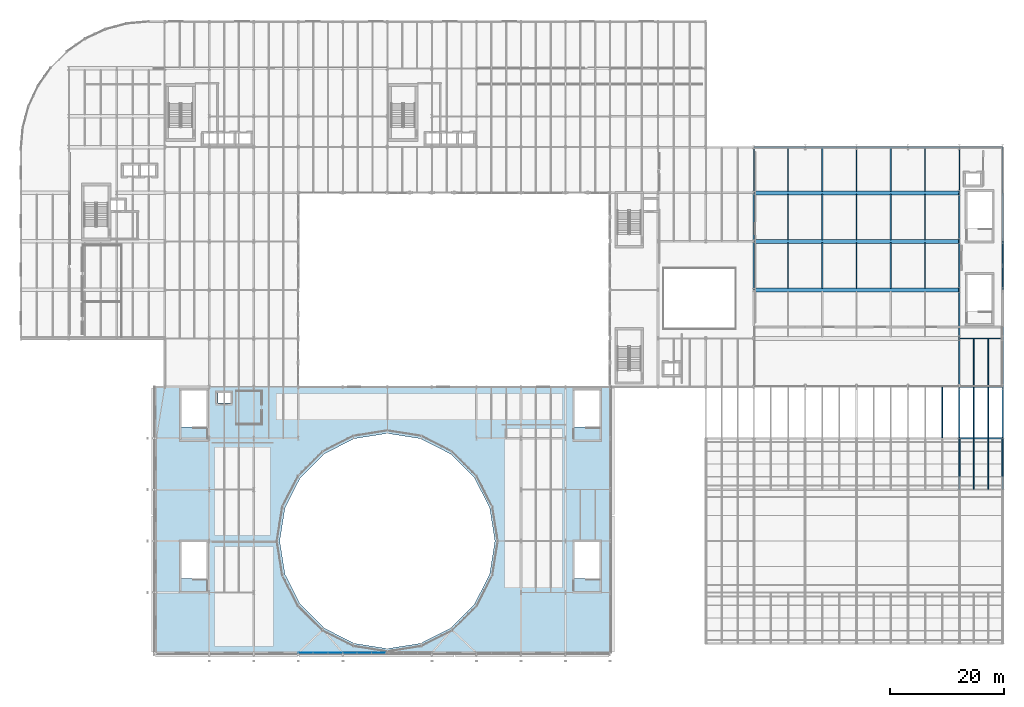
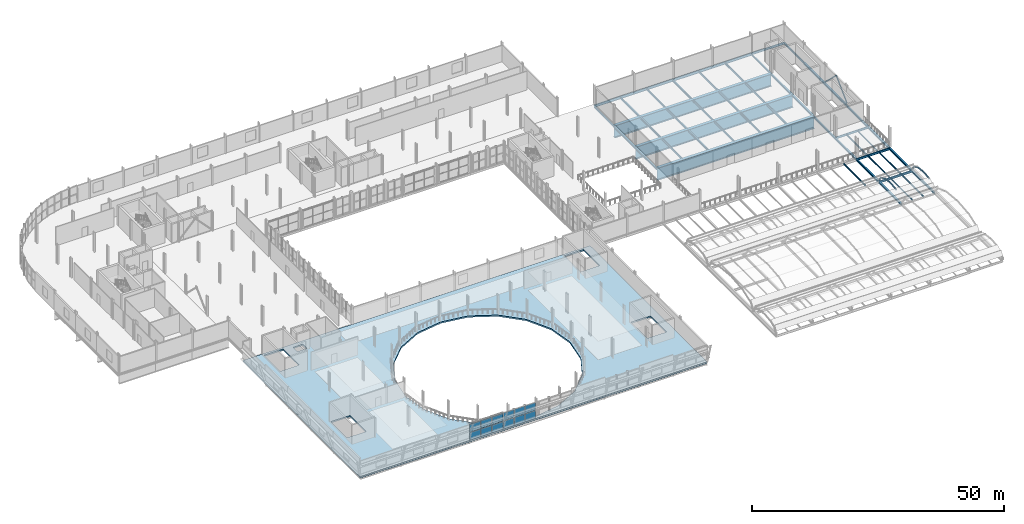
# One storey, part 35 of 63: 50 beams, 12 plates, 10 members, 1 slab, 2 elements without a shape of their own.
"""IFC4 building model written with IfcOpenShell, lengths in metres."""

import ifcopenshell
import ifcopenshell.guid

model = None  # the IFC model being written
_history = None  # IfcOwnerHistory: only IFC2X3 demands one
_inside = {}  # id of a spatial element -> (the spatial element, [elements in it])
_under = {}  # id of a project, library or spatial element -> (it, [spatial elements below it])
_declared = {}  # id of a project -> (the project, [libraries it declares])
_typed = {}  # id of a type object -> (the type object, [elements of that type])
_made_of = {}  # id of a material, layer set ... -> (it, [elements and type objects made of it])


def new_model(schema):
    """Start an empty IFC model of exactly this schema.

    Asked for "IFC4X3", IfcOpenShell would pick the latest addendum, in which some entities
    have other attributes; the version numbers below select the first issue.
    IFC2X3 requires an IfcOwnerHistory on every rooted entity: one is made here for all.
    """
    global model, _history
    if schema == "IFC4X3":
        model = ifcopenshell.file(schema_version=(4, 3, 0, 0))
    else:
        model = ifcopenshell.file(schema=schema)
    _inside.clear()
    _under.clear()
    _declared.clear()
    _typed.clear()
    _made_of.clear()
    _history = None
    if model.schema == "IFC2X3":
        org = make("IfcOrganization", Name="unknown")
        user = make(
            "IfcPersonAndOrganization",
            ThePerson=make("IfcPerson", FamilyName="unknown"),
            TheOrganization=org,
        )
        app = make(
            "IfcApplication",
            ApplicationDeveloper=org,
            Version="unknown",
            ApplicationFullName="unknown",
            ApplicationIdentifier="unknown",
        )
        _history = make(
            "IfcOwnerHistory",
            OwningUser=user,
            OwningApplication=app,
            ChangeAction="ADDED",
            CreationDate=0,
        )
    return model


def make(cls, **values):
    """One entity of the class cls with the attributes given. An attribute that is None is left unset."""
    return model.create_entity(
        cls, **{name: value for name, value in values.items() if value is not None}
    )


def rooted(cls, **values):
    """An entity with a GlobalId (a new one), such as an element, a storey or a relation."""
    return make(cls, GlobalId=ifcopenshell.guid.new(), OwnerHistory=_history, **values)


def si_unit(unit_type, name, prefix=None):
    """IfcSIUnit, for example si_unit("LENGTHUNIT", "METRE", prefix="MILLI")."""
    return make("IfcSIUnit", UnitType=unit_type, Prefix=prefix, Name=name)


def assignment(units):
    """IfcUnitAssignment: the units of a project."""
    return None if units is None else make("IfcUnitAssignment", Units=units)


def point(xyz):
    """IfcCartesianPoint."""
    return None if xyz is None else make("IfcCartesianPoint", Coordinates=xyz)


def direction(xyz):
    """IfcDirection."""
    return None if xyz is None else make("IfcDirection", DirectionRatios=xyz)


def frame(location, z_axis=None, x_axis=None):
    """IfcAxis2Placement3D, a coordinate frame: its origin and axes. An axis left out is left unset."""
    return make(
        "IfcAxis2Placement3D",
        Location=point(location),
        Axis=direction(z_axis),
        RefDirection=direction(x_axis),
    )


def frame_2d(location, x_axis=None):
    """IfcAxis2Placement2D, a coordinate frame in the plane: its origin and x axis."""
    return make(
        "IfcAxis2Placement2D", Location=point(location), RefDirection=direction(x_axis)
    )


def origin():
    """The frame at (0, 0, 0) with its axes left unset."""
    return frame((0.0, 0.0, 0.0))


def origin_2d():
    """The frame at (0, 0) in the plane with its x axis left unset."""
    return frame_2d((0.0, 0.0))


def place(relative_to, where):
    """IfcLocalPlacement: puts the frame where relative to a parent placement (None: the world)."""
    return make(
        "IfcLocalPlacement", PlacementRelTo=relative_to, RelativePlacement=where
    )


def context(
    kind, dimensions, precision=None, world=None, true_north=None, identifier=None
):
    """IfcGeometricRepresentationContext, for example the 3D "Model" context."""
    return make(
        "IfcGeometricRepresentationContext",
        ContextIdentifier=identifier,
        ContextType=kind,
        CoordinateSpaceDimension=dimensions,
        Precision=precision,
        WorldCoordinateSystem=world,
        TrueNorth=true_north,
    )


def subcontext(parent, identifier, kind, view, scale=None):
    """IfcGeometricRepresentationSubContext, for example "Body" below "Model"."""
    return make(
        "IfcGeometricRepresentationSubContext",
        ContextIdentifier=identifier,
        ContextType=kind,
        ParentContext=parent,
        TargetScale=scale,
        TargetView=view,
    )


def project(units=None, contexts=None):
    """IfcProject with its units and contexts."""
    return rooted(
        "IfcProject",
        Name="project",
        RepresentationContexts=contexts,
        UnitsInContext=assignment(units),
    )


def spatial(cls, under=None, at=None, **own):
    """A site, building, storey or space (cls), placed at a placement, below another one or the project."""
    s = rooted(cls, ObjectPlacement=at, **own)
    if under is not None:
        _under.setdefault(under.id(), (under, []))[1].append(s)
    return s


def polyline(points):
    """IfcPolyline through the points."""
    return make("IfcPolyline", Points=[point(p) for p in points])


def profile(cls, at=None, kind="AREA", **sizes):
    """A parametric profile (cls). Its sizes go by their IFC names, for example OverallWidth=200.0."""
    return make(cls, ProfileType=kind, Position=at, **sizes)


def rectangle(**sizes):
    """IfcRectangleProfileDef."""
    return profile("IfcRectangleProfileDef", **sizes)


def hollow_circle(**sizes):
    """IfcCircleHollowProfileDef."""
    return profile("IfcCircleHollowProfileDef", **sizes)


def i_section(**sizes):
    """IfcIShapeProfileDef."""
    return profile("IfcIShapeProfileDef", **sizes)


def outline(outer, holes=None, kind="AREA"):
    """IfcArbitraryClosedProfileDef: a profile drawn as a closed curve; with holes, ...WithVoids."""
    if holes is None:
        return make("IfcArbitraryClosedProfileDef", ProfileType=kind, OuterCurve=outer)
    return make(
        "IfcArbitraryProfileDefWithVoids",
        ProfileType=kind,
        OuterCurve=outer,
        InnerCurves=holes,
    )


def extrude(swept, where, along, depth):
    """IfcExtrudedAreaSolid: the profile swept, set in the frame where, extruded along a direction by depth."""
    return make(
        "IfcExtrudedAreaSolid",
        SweptArea=swept,
        Position=where,
        ExtrudedDirection=direction(along),
        Depth=depth,
    )


def shape(context_of_items, identifier, shape_type, items):
    """IfcShapeRepresentation: the items that make up one representation, for example the "Body"."""
    return make(
        "IfcShapeRepresentation",
        ContextOfItems=context_of_items,
        RepresentationIdentifier=identifier,
        RepresentationType=shape_type,
        Items=items,
    )


def material(Name=None, Category=None):
    """IfcMaterial."""
    return make("IfcMaterial", Name=Name, Category=Category)


def layer(
    of_material, thickness, ventilated=None, Name=None, Category=None, Priority=None
):
    """IfcMaterialLayer: one layer of a wall or slab, of a material (None: an air gap)."""
    return make(
        "IfcMaterialLayer",
        Material=of_material,
        LayerThickness=thickness,
        IsVentilated=ventilated,
        Name=Name,
        Category=Category,
        Priority=Priority,
    )


def layer_set(layers, Name=None):
    """IfcMaterialLayerSet."""
    return make("IfcMaterialLayerSet", MaterialLayers=layers, LayerSetName=Name)


def material_profile(
    of_material, cross_section, Name=None, Category=None, Priority=None
):
    """IfcMaterialProfile: a cross section and its material."""
    return make(
        "IfcMaterialProfile",
        Name=Name,
        Material=of_material,
        Profile=cross_section,
        Priority=Priority,
        Category=Category,
    )


def profile_set(profiles, Name=None, composite=None):
    """IfcMaterialProfileSet."""
    return make(
        "IfcMaterialProfileSet",
        Name=Name,
        MaterialProfiles=profiles,
        CompositeProfile=composite,
    )


def made_of(thing, what):
    """Note that an element or type object is made of a material, layer set ...; save() writes the relation."""
    if what is not None:
        _made_of.setdefault(what.id(), (what, []))[1].append(thing)
    return thing


def type_object(cls, material=None, **own):
    """A type object (cls), such as IfcWallType, which elements share."""
    return made_of(rooted(cls, **own), material)


def element(
    cls,
    number,
    at=None,
    inside=None,
    cuts=None,
    type_object=None,
    material=None,
    context=None,
    identifier="Body",
    shape_type=None,
    held_by="IfcProductDefinitionShape",
    body=None,
    shapes=None,
    **own,
):
    """One element of the class cls, such as IfcWall. Its Tag is "e" and its number.

    at: its placement. inside: the storey or other place that contains it. cuts: it is an
    opening in that element (IfcRelVoidsElement). A single representation is given by context,
    identifier, shape_type and body (its items); several are given by shapes. held_by: the class
    of the entity that holds the representations. save() writes the other relations.
    """
    e = rooted(cls, Tag="e%d" % number, ObjectPlacement=at, **own)
    if body is not None:
        shapes = [shape(context, identifier, shape_type, body)]
    if shapes is not None:
        e.Representation = make(held_by, Representations=shapes)
    if inside is not None:
        _inside.setdefault(inside.id(), (inside, []))[1].append(e)
    if cuts is not None:
        rooted(
            "IfcRelVoidsElement", RelatingBuildingElement=cuts, RelatedOpeningElement=e
        )
    if type_object is not None:
        _typed.setdefault(type_object.id(), (type_object, []))[1].append(e)
    return made_of(e, material)


def aggregate(whole, parts):
    """IfcRelAggregates: a whole, such as a stair, and the parts it consists of."""
    return rooted("IfcRelAggregates", RelatingObject=whole, RelatedObjects=parts)


def save(model, path):
    """Write the relations noted so far, then the file.

    IfcRelAggregates (storeys below a building ...), IfcRelContainedInSpatialStructure (elements
    in a storey), IfcRelDefinesByType, IfcRelAssociatesMaterial and IfcRelDeclares: one each for
    every whole, place, type object, material and project.
    """
    for whole, parts in _under.values():
        aggregate(whole, parts)
    for where, things in _inside.values():
        rooted(
            "IfcRelContainedInSpatialStructure",
            RelatedElements=things,
            RelatingStructure=where,
        )
    for kind, things in _typed.values():
        rooted("IfcRelDefinesByType", RelatedObjects=things, RelatingType=kind)
    for what, things in _made_of.values():
        rooted("IfcRelAssociatesMaterial", RelatedObjects=things, RelatingMaterial=what)
    for by, libraries in _declared.values():
        rooted("IfcRelDeclares", RelatingContext=by, RelatedDefinitions=libraries)
    model.write(path)


model = new_model("IFC4")

# Units and contexts
model_context = context("Model", 3, precision=1e-05, world=origin(), true_north=direction((0.0, 1.0)))
body_context = subcontext(model_context, "Body", "Model", "MODEL_VIEW")
ifc_project = project(units=[si_unit("LENGTHUNIT", "METRE"), si_unit("AREAUNIT", "SQUARE_METRE"), si_unit("VOLUMEUNIT", "CUBIC_METRE"), si_unit("PLANEANGLEUNIT", "RADIAN"), si_unit("MASSUNIT", "GRAM", prefix="KILO")], contexts=[model_context])

# Site, building, storey
site_placement = place(None, origin())
site = spatial("IfcSite", under=ifc_project, at=site_placement, CompositionType="ELEMENT")
building_placement = place(site_placement, origin())
building = spatial("IfcBuilding", under=site, at=building_placement, Name="Sefraquen Railside Congress Hotel", CompositionType="ELEMENT")
storey_placement = place(building_placement, frame((0.0, 0.0, 11.39990234375)))
storey = spatial("IfcBuildingStorey", under=building, at=storey_placement, Name="L02", CompositionType="ELEMENT", Elevation=11.39990234375)

# Beams
ifc_material_1 = material(Name="Steel S355JR", Category="steel")
ifc_material_profile_1 = material_profile(ifc_material_1, i_section(OverallWidth=0.18994140625, OverallDepth=0.449951171875, WebThickness=0.009521484375, FlangeThickness=0.0146484375, FilletRadius=0.02099609375, at=origin_2d()), Name="IPE 450")
ifc_profile_set_1 = profile_set([ifc_material_profile_1], Name="Steel S355JR")
beam_type_1 = type_object("IfcBeamType", Name="TB-BM-450", PredefinedType="BEAM", material=ifc_profile_set_1)
for number, where, z_axis, x_axis, name in (
    (1, (128.39990234375, 88.0, -0.574951171875), (0.0, 1.0, 0.0), (-1.0, 0.0, 0.0), "Floor beam BM-L02-0963"),
    (2, (164.39990234375, 88.0, -0.44482421875), (0.0, 1.0, 0.0), (-1.0, 0.0, 0.0), "Floor beam BM-L02-0985"),
    (3, (172.0, 88.0, -0.44482421875), (0.0, 1.0, 0.0), (-1.0, 0.0, 0.0), "Floor beam BM-L02-0995"),
):
    element("IfcBeam", number, at=place(storey_placement, frame(where, z_axis=z_axis, x_axis=x_axis)), inside=storey, type_object=beam_type_1, Name=name, PredefinedType="BEAM", context=body_context, shape_type="SweptSolid", body=[
        extrude(i_section(OverallWidth=0.18994140625, OverallDepth=0.449951171875, WebThickness=0.009521484375, FlangeThickness=0.0146484375, FilletRadius=0.02099609375, at=origin_2d()), origin(), (0.0, 0.0, 1.0), 8.0),
    ])
ifc_material_profile_2 = material_profile(ifc_material_1, i_section(OverallWidth=0.199951171875, OverallDepth=0.5, WebThickness=0.01025390625, FlangeThickness=0.01611328125, FilletRadius=0.02099609375, at=origin_2d()), Name="IPE 500")
ifc_profile_set_2 = profile_set([ifc_material_profile_2], Name="Steel S355JR")
beam_type_2 = type_object("IfcBeamType", Name="TB-BM-500", PredefinedType="BEAM", material=ifc_profile_set_2)
for number, where, z_axis, x_axis, name in (
    (4, (164.39990234375, 45.0, -0.599853515625), (1.0, 0.0, 0.0), (0.0, 1.0, 0.0), "Thermal Spa vault tension ring girder BM-L02-0714"),
    (5, (164.39990234375, 54.0, -0.599853515625), (1.0, 0.0, 0.0), (0.0, 1.0, 0.0), "Primary girder BM-L02-0731"),
    (6, (164.39990234375, 62.5, -0.56982421875), (1.0, 0.0, 0.0), (0.0, 1.0, 0.0), "Primary girder BM-L02-0741"),
    (7, (164.39990234375, 96.0, -0.469970703125), (1.0, 0.0, 0.0), (0.0, 1.0, 0.0), "Primary girder BM-L02-0794"),
):
    element("IfcBeam", number, at=place(storey_placement, frame(where, z_axis=z_axis, x_axis=x_axis)), inside=storey, type_object=beam_type_2, Name=name, PredefinedType="BEAM", context=body_context, shape_type="SweptSolid", body=[
        extrude(i_section(OverallWidth=0.199951171875, OverallDepth=0.5, WebThickness=0.01025390625, FlangeThickness=0.01611328125, FilletRadius=0.02099609375, at=origin_2d()), origin(), (0.0, 0.0, 1.0), 7.60009765625),
    ])
ifc_material_profile_3 = material_profile(ifc_material_1, i_section(OverallWidth=0.300048828125, OverallDepth=0.489990234375, WebThickness=0.011962890625, FlangeThickness=0.02294921875, FilletRadius=0.027099609375, at=origin_2d()), Name="HEA 500")
ifc_profile_set_3 = profile_set([ifc_material_profile_3], Name="Steel S355JR")
beam_type_3 = type_object("IfcBeamType", Name="TB-GIR-500", PredefinedType="T_BEAM", material=ifc_profile_set_3)
for number, where, z_axis, x_axis, name in (
    (8, (128.39990234375, 71.0, -0.594970703125), (0.0, 1.0, 0.0), (-1.0, 0.0, 0.0), "Floor beam BM-L02-0961"),
    (9, (128.39990234375, 79.5, -0.594970703125), (0.0, 1.0, 0.0), (-1.0, 0.0, 0.0), "Floor beam BM-L02-0962"),
):
    element("IfcBeam", number, at=place(storey_placement, frame(where, z_axis=z_axis, x_axis=x_axis)), inside=storey, type_object=beam_type_3, Name=name, PredefinedType="T_BEAM", context=body_context, shape_type="SweptSolid", body=[
        extrude(i_section(OverallWidth=0.300048828125, OverallDepth=0.489990234375, WebThickness=0.011962890625, FlangeThickness=0.02294921875, FilletRadius=0.027099609375, at=origin_2d()), origin(), (0.0, 0.0, 1.0), 8.5),
    ])
for number, where, z_axis, x_axis, name in (
    (10, (164.39990234375, 36.0, -0.594970703125), (0.0, 1.0, 0.0), (-1.0, 0.0, 0.0), "Floor beam BM-L02-0979"),
    (11, (164.39990234375, 45.0, -0.594970703125), (0.0, 1.0, 0.0), (-1.0, 0.0, 0.0), "Floor beam BM-L02-0980"),
):
    element("IfcBeam", number, at=place(storey_placement, frame(where, z_axis=z_axis, x_axis=x_axis)), inside=storey, type_object=beam_type_3, Name=name, PredefinedType="T_BEAM", context=body_context, shape_type="SweptSolid", body=[
        extrude(i_section(OverallWidth=0.300048828125, OverallDepth=0.489990234375, WebThickness=0.011962890625, FlangeThickness=0.02294921875, FilletRadius=0.027099609375, at=origin_2d()), origin(), (0.0, 0.0, 1.0), 9.0),
    ])
for number, where, z_axis, x_axis, name in (
    (12, (164.39990234375, 54.0, -0.56494140625), (0.0, 1.0, 0.0), (-1.0, 0.0, 0.0), "Floor beam BM-L02-0981"),
    (13, (164.39990234375, 62.5, -0.56494140625), (0.0, 1.0, 0.0), (-1.0, 0.0, 0.0), "Floor beam BM-L02-0982"),
    (14, (164.39990234375, 71.0, -0.46484375), (0.0, 1.0, 0.0), (-1.0, 0.0, 0.0), "Floor beam BM-L02-0983"),
    (15, (164.39990234375, 79.5, -0.46484375), (0.0, 1.0, 0.0), (-1.0, 0.0, 0.0), "Floor beam BM-L02-0984"),
):
    element("IfcBeam", number, at=place(storey_placement, frame(where, z_axis=z_axis, x_axis=x_axis)), inside=storey, type_object=beam_type_3, Name=name, PredefinedType="T_BEAM", context=body_context, shape_type="SweptSolid", body=[
        extrude(i_section(OverallWidth=0.300048828125, OverallDepth=0.489990234375, WebThickness=0.011962890625, FlangeThickness=0.02294921875, FilletRadius=0.027099609375, at=origin_2d()), origin(), (0.0, 0.0, 1.0), 8.5),
    ])
for number, where, z_axis, x_axis, name in (
    (16, (172.0, 36.0, -0.594970703125), (0.0, 1.0, 0.0), (-1.0, 0.0, 0.0), "Floor beam BM-L02-0989"),
    (17, (172.0, 45.0, -0.594970703125), (0.0, 1.0, 0.0), (-1.0, 0.0, 0.0), "Floor beam BM-L02-0990"),
):
    element("IfcBeam", number, at=place(storey_placement, frame(where, z_axis=z_axis, x_axis=x_axis)), inside=storey, type_object=beam_type_3, Name=name, PredefinedType="T_BEAM", context=body_context, shape_type="SweptSolid", body=[
        extrude(i_section(OverallWidth=0.300048828125, OverallDepth=0.489990234375, WebThickness=0.011962890625, FlangeThickness=0.02294921875, FilletRadius=0.027099609375, at=origin_2d()), origin(), (0.0, 0.0, 1.0), 9.0),
    ])
for number, where, z_axis, x_axis, name in (
    (18, (172.0, 54.0, -0.56494140625), (0.0, 1.0, 0.0), (-1.0, 0.0, 0.0), "Floor beam BM-L02-0991"),
    (19, (172.0, 62.5, -0.56494140625), (0.0, 1.0, 0.0), (-1.0, 0.0, 0.0), "Floor beam BM-L02-0992"),
    (20, (172.0, 71.0, -0.46484375), (0.0, 1.0, 0.0), (-1.0, 0.0, 0.0), "Floor beam BM-L02-0993"),
    (21, (172.0, 79.5, -0.46484375), (0.0, 1.0, 0.0), (-1.0, 0.0, 0.0), "Floor beam BM-L02-0994"),
):
    element("IfcBeam", number, at=place(storey_placement, frame(where, z_axis=z_axis, x_axis=x_axis)), inside=storey, type_object=beam_type_3, Name=name, PredefinedType="T_BEAM", context=body_context, shape_type="SweptSolid", body=[
        extrude(i_section(OverallWidth=0.300048828125, OverallDepth=0.489990234375, WebThickness=0.011962890625, FlangeThickness=0.02294921875, FilletRadius=0.027099609375, at=origin_2d()), origin(), (0.0, 0.0, 1.0), 8.5),
    ])
ifc_material_profile_4 = material_profile(ifc_material_1, i_section(OverallWidth=0.219970703125, OverallDepth=0.60009765625, WebThickness=0.011962890625, FlangeThickness=0.01904296875, FilletRadius=0.02392578125, at=origin_2d()), Name="IPE 600")
ifc_profile_set_4 = profile_set([ifc_material_profile_4], Name="Steel S355JR")
beam_type_4 = type_object("IfcBeamType", Name="TB-GIR-600", PredefinedType="T_BEAM", material=ifc_profile_set_4)
for number, where, z_axis, x_axis, name in (
    (22, (128.39990234375, 96.0, -0.52001953125), (1.0, 0.0, 0.0), (0.0, 1.0, 0.0), "Primary girder BM-L02-0790"),
    (23, (137.39990234375, 96.0, -0.52001953125), (1.0, 0.0, 0.0), (0.0, 1.0, 0.0), "Primary girder BM-L02-0791"),
    (24, (146.39990234375, 96.0, -0.52001953125), (1.0, 0.0, 0.0), (0.0, 1.0, 0.0), "Primary girder BM-L02-0792"),
    (25, (155.39990234375, 96.0, -0.52001953125), (1.0, 0.0, 0.0), (0.0, 1.0, 0.0), "Primary girder BM-L02-0793"),
):
    element("IfcBeam", number, at=place(storey_placement, frame(where, z_axis=z_axis, x_axis=x_axis)), inside=storey, type_object=beam_type_4, Name=name, PredefinedType="T_BEAM", context=body_context, shape_type="SweptSolid", body=[
        extrude(i_section(OverallWidth=0.219970703125, OverallDepth=0.60009765625, WebThickness=0.011962890625, FlangeThickness=0.01904296875, FilletRadius=0.02392578125, at=origin_2d()), origin(), (0.0, 0.0, 1.0), 9.0),
    ])
ifc_material_profile_5 = material_profile(ifc_material_1, i_section(OverallWidth=0.159912109375, OverallDepth=0.330078125, WebThickness=0.007568359375, FlangeThickness=0.011474609375, FilletRadius=0.01806640625, at=origin_2d()), Name="IPE 330")
ifc_profile_set_5 = profile_set([ifc_material_profile_5], Name="Steel S355JR")
beam_type_5 = type_object("IfcBeamType", Name="TB-JST-330", PredefinedType="JOIST", material=ifc_profile_set_5)
beam_placement = place(storey_placement, frame((161.39990234375, 45.090087890625, -0.514892578125), z_axis=(0.0, 1.0, 0.0), x_axis=(-1.0, 0.0, 0.0)))
element("IfcBeam", 26, at=beam_placement, inside=storey, type_object=beam_type_5, Name="Composite floor joist BM-L02-J0623", PredefinedType="JOIST", context=body_context, shape_type="SweptSolid", body=[
    extrude(i_section(OverallWidth=0.159912109375, OverallDepth=0.330078125, WebThickness=0.007568359375, FlangeThickness=0.011474609375, FilletRadius=0.01806640625, at=origin_2d()), origin(), (0.0, 0.0, 1.0), 8.81982421875),
])
for number, where, z_axis, x_axis, name in (
    (27, (166.933349609375, 36.080078125, -0.514892578125), (0.0, 1.0, 0.0), (-1.0, 0.0, 0.0), "Composite floor joist BM-L02-J0626"),
    (28, (169.466796875, 36.080078125, -0.514892578125), (0.0, 1.0, 0.0), (-1.0, 0.0, 0.0), "Composite floor joist BM-L02-J0627"),
    (29, (166.933349609375, 45.080078125, -0.514892578125), (0.0, 1.0, 0.0), (-1.0, 0.0, 0.0), "Composite floor joist BM-L02-J0628"),
    (30, (169.466796875, 45.080078125, -0.514892578125), (0.0, 1.0, 0.0), (-1.0, 0.0, 0.0), "Composite floor joist BM-L02-J0629"),
):
    element("IfcBeam", number, at=place(storey_placement, frame(where, z_axis=z_axis, x_axis=x_axis)), inside=storey, type_object=beam_type_5, Name=name, PredefinedType="JOIST", context=body_context, shape_type="SweptSolid", body=[
        extrude(i_section(OverallWidth=0.159912109375, OverallDepth=0.330078125, WebThickness=0.007568359375, FlangeThickness=0.011474609375, FilletRadius=0.01806640625, at=origin_2d()), origin(), (0.0, 0.0, 1.0), 8.83984375),
    ])
for number, where, z_axis, x_axis, name in (
    (31, (166.933349609375, 54.080078125, -0.514892578125), (0.0, 1.0, 0.0), (-1.0, 0.0, 0.0), "Composite floor joist BM-L02-J0630"),
    (32, (169.466796875, 54.080078125, -0.514892578125), (0.0, 1.0, 0.0), (-1.0, 0.0, 0.0), "Composite floor joist BM-L02-J0631"),
):
    element("IfcBeam", number, at=place(storey_placement, frame(where, z_axis=z_axis, x_axis=x_axis)), inside=storey, type_object=beam_type_5, Name=name, PredefinedType="JOIST", context=body_context, shape_type="SweptSolid", body=[
        extrude(i_section(OverallWidth=0.159912109375, OverallDepth=0.330078125, WebThickness=0.007568359375, FlangeThickness=0.011474609375, FilletRadius=0.01806640625, at=origin_2d()), origin(), (0.0, 0.0, 1.0), 8.33984375),
    ])
ifc_material_profile_6 = material_profile(ifc_material_1, i_section(OverallWidth=0.199951171875, OverallDepth=0.5, WebThickness=0.01025390625, FlangeThickness=0.01611328125, FilletRadius=0.02099609375, at=origin_2d()), Name="IPE 500")
ifc_profile_set_6 = profile_set([ifc_material_profile_6], Name="Steel S355JR")
beam_type_6 = type_object("IfcBeamType", Name="TB-JST-500", PredefinedType="JOIST", material=ifc_profile_set_6)
for number, where, z_axis, x_axis, name in (
    (33, (134.39990234375, 71.199951171875, -0.469970703125), (0.0, 1.0, 0.0), (-1.0, 0.0, 0.0), "Ballroom transfer secondary joist BM-L02-BJ0637"),
    (34, (140.39990234375, 71.199951171875, -0.469970703125), (0.0, 1.0, 0.0), (-1.0, 0.0, 0.0), "Ballroom transfer secondary joist BM-L02-BJ0638"),
    (35, (146.39990234375, 71.199951171875, -0.469970703125), (0.0, 1.0, 0.0), (-1.0, 0.0, 0.0), "Ballroom transfer secondary joist BM-L02-BJ0639"),
    (36, (152.39990234375, 71.199951171875, -0.469970703125), (0.0, 1.0, 0.0), (-1.0, 0.0, 0.0), "Ballroom transfer secondary joist BM-L02-BJ0640"),
    (37, (158.39990234375, 71.199951171875, -0.469970703125), (0.0, 1.0, 0.0), (-1.0, 0.0, 0.0), "Ballroom transfer secondary joist BM-L02-BJ0641"),
    (38, (134.39990234375, 79.699951171875, -0.469970703125), (0.0, 1.0, 0.0), (-1.0, 0.0, 0.0), "Ballroom transfer secondary joist BM-L02-BJ0642"),
    (39, (140.39990234375, 79.699951171875, -0.469970703125), (0.0, 1.0, 0.0), (-1.0, 0.0, 0.0), "Ballroom transfer secondary joist BM-L02-BJ0643"),
    (40, (146.39990234375, 79.699951171875, -0.469970703125), (0.0, 1.0, 0.0), (-1.0, 0.0, 0.0), "Ballroom transfer secondary joist BM-L02-BJ0644"),
    (41, (152.39990234375, 79.699951171875, -0.469970703125), (0.0, 1.0, 0.0), (-1.0, 0.0, 0.0), "Ballroom transfer secondary joist BM-L02-BJ0645"),
    (42, (158.39990234375, 79.699951171875, -0.469970703125), (0.0, 1.0, 0.0), (-1.0, 0.0, 0.0), "Ballroom transfer secondary joist BM-L02-BJ0646"),
):
    element("IfcBeam", number, at=place(storey_placement, frame(where, z_axis=z_axis, x_axis=x_axis)), inside=storey, type_object=beam_type_6, Name=name, PredefinedType="JOIST", context=body_context, shape_type="SweptSolid", body=[
        extrude(i_section(OverallWidth=0.199951171875, OverallDepth=0.5, WebThickness=0.01025390625, FlangeThickness=0.01611328125, FilletRadius=0.02099609375, at=origin_2d()), origin(), (0.0, 0.0, 1.0), 8.10009765625),
    ])
for number, where, z_axis, x_axis, name in (
    (43, (134.39990234375, 88.199951171875, -0.469970703125), (0.0, 1.0, 0.0), (-1.0, 0.0, 0.0), "Ballroom transfer secondary joist BM-L02-BJ0647"),
    (44, (140.39990234375, 88.199951171875, -0.469970703125), (0.0, 1.0, 0.0), (-1.0, 0.0, 0.0), "Ballroom transfer secondary joist BM-L02-BJ0648"),
    (45, (146.39990234375, 88.199951171875, -0.469970703125), (0.0, 1.0, 0.0), (-1.0, 0.0, 0.0), "Ballroom transfer secondary joist BM-L02-BJ0649"),
    (46, (152.39990234375, 88.199951171875, -0.469970703125), (0.0, 1.0, 0.0), (-1.0, 0.0, 0.0), "Ballroom transfer secondary joist BM-L02-BJ0650"),
    (47, (158.39990234375, 88.199951171875, -0.469970703125), (0.0, 1.0, 0.0), (-1.0, 0.0, 0.0), "Ballroom transfer secondary joist BM-L02-BJ0651"),
):
    element("IfcBeam", number, at=place(storey_placement, frame(where, z_axis=z_axis, x_axis=x_axis)), inside=storey, type_object=beam_type_6, Name=name, PredefinedType="JOIST", context=body_context, shape_type="SweptSolid", body=[
        extrude(i_section(OverallWidth=0.199951171875, OverallDepth=0.5, WebThickness=0.01025390625, FlangeThickness=0.01611328125, FilletRadius=0.02099609375, at=origin_2d()), origin(), (0.0, 0.0, 1.0), 7.7099609375),
    ])
ifc_material_2 = material(Name="Steel S355J2", Category="steel")
ifc_material_profile_7 = material_profile(ifc_material_2, i_section(OverallWidth=0.699951171875, OverallDepth=3.0, WebThickness=0.031982421875, FlangeThickness=0.054931640625, at=origin_2d()), Name="WG 3000x700")
ifc_profile_set_7 = profile_set([ifc_material_profile_7], Name="Steel S355J2")
beam_type_7 = type_object("IfcBeamType", Name="TB-TG-3000", PredefinedType="USERDEFINED", material=ifc_profile_set_7)
for number, where, z_axis, x_axis, name in (
    (48, (128.39990234375, 71.0, -1.719970703125), (1.0, 0.0, 0.0), (0.0, 1.0, 0.0), "Transfer girder BM-L02-0749"),
    (49, (128.39990234375, 79.5, -1.719970703125), (1.0, 0.0, 0.0), (0.0, 1.0, 0.0), "Transfer girder BM-L02-0758"),
    (50, (128.39990234375, 88.0, -1.719970703125), (1.0, 0.0, 0.0), (0.0, 1.0, 0.0), "Transfer girder BM-L02-0774"),
):
    element("IfcBeam", number, at=place(storey_placement, frame(where, z_axis=z_axis, x_axis=x_axis)), inside=storey, type_object=beam_type_7, Name=name, ObjectType="TRANSFER GIRDER", PredefinedType="USERDEFINED", context=body_context, shape_type="SweptSolid", body=[
        extrude(i_section(OverallWidth=0.699951171875, OverallDepth=3.0, WebThickness=0.031982421875, FlangeThickness=0.054931640625, at=origin_2d()), origin(), (0.0, 0.0, 1.0), 36.0),
    ])

# Members
ifc_material_profile_8 = material_profile(ifc_material_2, hollow_circle(Radius=0.136474609375, WallThickness=0.012451171875, at=origin_2d()), Name="CHS 273x12.5")
ifc_profile_set_8 = profile_set([ifc_material_profile_8], Name="Steel S355J2")
member_type_1 = type_object("IfcMemberType", Name="TM-BR-273", PredefinedType="BRACE", material=ifc_profile_set_8)
for number, where, z_axis, x_axis, name in (
    (51, (172.0, 71.0, 0.150146484375), (0.0, 0.718013444965, 0.696029232755), (-1.0, 0.0, 0.0), "Chevron braced-frame diagonal BF3-L L02"),
    (52, (172.0, 79.5, 0.150146484375), (0.0, -0.718013444965, 0.696029232755), (1.0, 0.0, 0.0), "Chevron braced-frame diagonal BF3-R L02"),
):
    element("IfcMember", number, at=place(storey_placement, frame(where, z_axis=z_axis, x_axis=x_axis)), inside=storey, type_object=member_type_1, Name=name, PredefinedType="BRACE", context=body_context, shape_type="SweptSolid", body=[
        extrude(hollow_circle(Radius=0.136474609375, WallThickness=0.012451171875, at=origin_2d()), origin(), (0.0, 0.0, 1.0), 5.919189453125),
    ])
ifc_material_profile_9 = material_profile(ifc_material_2, hollow_circle(Radius=0.177734375, WallThickness=0.01611328125, at=origin_2d()), Name="CHS 355.6x16")
ifc_profile_set_9 = profile_set([ifc_material_profile_9], Name="Steel S355J2")
member_type_2 = type_object("IfcMemberType", Name="TM-VRAF-355", PredefinedType="RAFTER", material=ifc_profile_set_9)
for number, where, z_axis, x_axis, name in (
    (53, (164.39990234375, 38.25, 1.63671875), (0.0, 0.992264619654, 0.124140745059), (-1.0, 0.0, 0.0), "Thermal Spa vault 3 arched rib 6.3"),
    (54, (164.39990234375, 40.5, 1.918212890625), (0.0, 0.992264619654, -0.124140745059), (-1.0, 0.0, 0.0), "Thermal Spa vault 3 arched rib 6.4"),
):
    element("IfcMember", number, at=place(storey_placement, frame(where, z_axis=z_axis, x_axis=x_axis)), inside=storey, type_object=member_type_2, Name=name, PredefinedType="RAFTER", context=body_context, shape_type="SweptSolid", body=[
        extrude(hollow_circle(Radius=0.177734375, WallThickness=0.01611328125, at=origin_2d()), origin(), (0.0, 0.0, 1.0), 2.267578125),
    ])
member_1_placement = place(storey_placement, frame((164.39990234375, 42.75, 1.63671875), z_axis=(0.0, 0.906214019908, -0.422819287783), x_axis=(-1.0, 0.0, 0.0)))
element("IfcMember", 55, at=member_1_placement, inside=storey, type_object=member_type_2, Name="Thermal Spa vault 3 arched rib 6.5", PredefinedType="RAFTER", context=body_context, shape_type="SweptSolid", body=[
    extrude(hollow_circle(Radius=0.177734375, WallThickness=0.01611328125, at=origin_2d()), origin(), (0.0, 0.0, 1.0), 1.817626953125),
])
member_2_placement = place(storey_placement, frame((164.39990234375, 44.397216796875, 0.8681640625), z_axis=(0.0, 0.4949942083, -0.868896273297), x_axis=(-1.0, 0.0, 0.0)))
element("IfcMember", 56, at=member_2_placement, inside=storey, type_object=member_type_2, Name="Thermal Spa vault 3 arched rib 6.6", PredefinedType="RAFTER", context=body_context, shape_type="SweptSolid", body=[
    extrude(hollow_circle(Radius=0.177734375, WallThickness=0.01611328125, at=origin_2d()), origin(), (0.0, 0.0, 1.0), 1.2177734375),
])
for number, where, z_axis, x_axis, name in (
    (57, (172.0, 38.25, 1.63671875), (0.0, 0.992264619654, 0.124140745059), (-1.0, 0.0, 0.0), "Thermal Spa vault 3 arched rib 7.3"),
    (58, (172.0, 40.5, 1.918212890625), (0.0, 0.992264619654, -0.124140745059), (-1.0, 0.0, 0.0), "Thermal Spa vault 3 arched rib 7.4"),
):
    element("IfcMember", number, at=place(storey_placement, frame(where, z_axis=z_axis, x_axis=x_axis)), inside=storey, type_object=member_type_2, Name=name, PredefinedType="RAFTER", context=body_context, shape_type="SweptSolid", body=[
        extrude(hollow_circle(Radius=0.177734375, WallThickness=0.01611328125, at=origin_2d()), origin(), (0.0, 0.0, 1.0), 2.267578125),
    ])
member_3_placement = place(storey_placement, frame((172.0, 42.75, 1.63671875), z_axis=(0.0, 0.906214019908, -0.422819287783), x_axis=(-1.0, 0.0, 0.0)))
element("IfcMember", 59, at=member_3_placement, inside=storey, type_object=member_type_2, Name="Thermal Spa vault 3 arched rib 7.5", PredefinedType="RAFTER", context=body_context, shape_type="SweptSolid", body=[
    extrude(hollow_circle(Radius=0.177734375, WallThickness=0.01611328125, at=origin_2d()), origin(), (0.0, 0.0, 1.0), 1.817626953125),
])
member_4_placement = place(storey_placement, frame((172.0, 44.397216796875, 0.8681640625), z_axis=(0.0, 0.4949942083, -0.868896273297), x_axis=(-1.0, 0.0, 0.0)))
element("IfcMember", 60, at=member_4_placement, inside=storey, type_object=member_type_2, Name="Thermal Spa vault 3 arched rib 7.6", PredefinedType="RAFTER", context=body_context, shape_type="SweptSolid", body=[
    extrude(hollow_circle(Radius=0.177734375, WallThickness=0.01611328125, at=origin_2d()), origin(), (0.0, 0.0, 1.0), 1.2177734375),
])

# Curtain wall, plates
ifc_material_3 = material(Name="Thermally broken anodised aluminium and low-E double glazing", Category="aluminium")
ifc_layer_1 = layer(ifc_material_3, 0.199951171875)
ifc_layer_set_1 = layer_set([ifc_layer_1], Name="Thermally broken anodised aluminium and low-E double glazing")
curtain_wall_type_1 = type_object("IfcCurtainWallType", Name="TCW-UCW-20", PredefinedType="USERDEFINED", material=ifc_layer_set_1)
curtain_wall_1_placement = place(storey_placement, origin())
curtain_wall_1 = element("IfcCurtainWall", 61, at=curtain_wall_1_placement, inside=storey, type_object=curtain_wall_type_1, Name="Congress leaning south curtain wall L02-4", ObjectType="UNITISED CURTAIN WALL", PredefinedType="USERDEFINED")
ifc_material_4 = material(Name="Solar-control low-E double glazing", Category="glass")
ifc_layer_2 = layer(ifc_material_4, 0.02392578125)
ifc_layer_set_2 = layer_set([ifc_layer_2], Name="Solar-control low-E double glazing")
plate_type_1 = type_object("IfcPlateType", Name="TP-CWP-01", PredefinedType="CURTAIN_PANEL", material=ifc_layer_set_2)
plate_1_placement = place(storey_placement, frame((49.9267578125, 7.400390625, 0.0400390625), z_axis=(0.0, 0.0, 1.0), x_axis=(1.0, 0.0, 0.0)))
plate_1 = element("IfcPlate", 62, at=plate_1_placement, type_object=plate_type_1, Name="CW-L02-052 panel 1.1", PredefinedType="CURTAIN_PANEL", context=body_context, shape_type="SweptSolid", body=[
    extrude(rectangle(XDim=2.4833984375, YDim=0.02392578125, at=origin_2d()), origin(), (0.0, 0.0, 1.0), 1.9150390625),
])
plate_2_placement = place(storey_placement, frame((52.5, 7.400390625, 0.0400390625), z_axis=(0.0, 0.0, 1.0), x_axis=(1.0, 0.0, 0.0)))
plate_2 = element("IfcPlate", 63, at=plate_2_placement, type_object=plate_type_1, Name="CW-L02-052 panel 1.2", PredefinedType="CURTAIN_PANEL", context=body_context, shape_type="SweptSolid", body=[
    extrude(rectangle(XDim=2.4833984375, YDim=0.02392578125, at=origin_2d()), origin(), (0.0, 0.0, 1.0), 1.9150390625),
])
plate_3_placement = place(storey_placement, frame((55.0732421875, 7.400390625, 0.0400390625), z_axis=(0.0, 0.0, 1.0), x_axis=(1.0, 0.0, 0.0)))
plate_3 = element("IfcPlate", 64, at=plate_3_placement, type_object=plate_type_1, Name="CW-L02-052 panel 1.3", PredefinedType="CURTAIN_PANEL", context=body_context, shape_type="SweptSolid", body=[
    extrude(rectangle(XDim=2.4833984375, YDim=0.02392578125, at=origin_2d()), origin(), (0.0, 0.0, 1.0), 1.9150390625),
])

ifc_layer_3 = layer(ifc_material_3, 0.199951171875)
ifc_layer_set_3 = layer_set([ifc_layer_3], Name="Thermally broken anodised aluminium and low-E double glazing")
curtain_wall_type_2 = type_object("IfcCurtainWallType", Name="TCW-UCW-21", PredefinedType="USERDEFINED", material=ifc_layer_set_3)
curtain_wall_2_placement = place(storey_placement, origin())
curtain_wall_2 = element("IfcCurtainWall", 65, at=curtain_wall_2_placement, inside=storey, type_object=curtain_wall_type_2, Name="Congress leaning south curtain wall L02-5", ObjectType="UNITISED CURTAIN WALL", PredefinedType="USERDEFINED")
plate_4_placement = place(storey_placement, frame((57.681640625, 7.400390625, 0.0400390625), z_axis=(0.0, 0.0, 1.0), x_axis=(1.0, 0.0, 0.0)))
plate_4 = element("IfcPlate", 66, at=plate_4_placement, type_object=plate_type_1, Name="CW-L02-053 panel 1.1", PredefinedType="CURTAIN_PANEL", context=body_context, shape_type="SweptSolid", body=[
    extrude(rectangle(XDim=2.393310546875, YDim=0.02392578125, at=origin_2d()), origin(), (0.0, 0.0, 1.0), 1.9150390625),
])
plate_5_placement = place(storey_placement, frame((60.1650390625, 7.400390625, 0.0400390625), z_axis=(0.0, 0.0, 1.0), x_axis=(1.0, 0.0, 0.0)))
plate_5 = element("IfcPlate", 67, at=plate_5_placement, type_object=plate_type_1, Name="CW-L02-053 panel 1.2", PredefinedType="CURTAIN_PANEL", context=body_context, shape_type="SweptSolid", body=[
    extrude(rectangle(XDim=2.393310546875, YDim=0.02392578125, at=origin_2d()), origin(), (0.0, 0.0, 1.0), 1.9150390625),
])
plate_6_placement = place(storey_placement, frame((62.648193359375, 7.400390625, 0.0400390625), z_axis=(0.0, 0.0, 1.0), x_axis=(1.0, 0.0, 0.0)))
plate_6 = element("IfcPlate", 68, at=plate_6_placement, type_object=plate_type_1, Name="CW-L02-053 panel 1.3", PredefinedType="CURTAIN_PANEL", context=body_context, shape_type="SweptSolid", body=[
    extrude(rectangle(XDim=2.393310546875, YDim=0.02392578125, at=origin_2d()), origin(), (0.0, 0.0, 1.0), 1.9150390625),
])

# Plate
ifc_material_5 = material(Name="Triple acoustic solar-control glazing", Category="glass")
ifc_layer_4 = layer(ifc_material_5, 0.031982421875)
ifc_layer_set_4 = layer_set([ifc_layer_4], Name="Triple acoustic solar-control glazing")
plate_type_2 = type_object("IfcPlateType", Name="TP-CWP-02", PredefinedType="CURTAIN_PANEL", material=ifc_layer_set_4)
plate_7_placement = place(storey_placement, frame((49.9267578125, 7.400390625, 2.03515625), z_axis=(0.0, 0.0, 1.0), x_axis=(1.0, 0.0, 0.0)))
plate_7 = element("IfcPlate", 69, at=plate_7_placement, type_object=plate_type_2, Name="CW-L02-052 panel 2.1", PredefinedType="CURTAIN_PANEL", context=body_context, shape_type="SweptSolid", body=[
    extrude(rectangle(XDim=2.4833984375, YDim=0.031982421875, at=origin_2d()), origin(), (0.0, 0.0, 1.0), 1.9150390625),
])

plate_8_placement = place(storey_placement, frame((52.5, 7.400390625, 2.03515625), z_axis=(0.0, 0.0, 1.0), x_axis=(1.0, 0.0, 0.0)))
plate_8 = element("IfcPlate", 70, at=plate_8_placement, type_object=plate_type_2, Name="CW-L02-052 panel 2.2", PredefinedType="CURTAIN_PANEL", context=body_context, shape_type="SweptSolid", body=[
    extrude(rectangle(XDim=2.4833984375, YDim=0.031982421875, at=origin_2d()), origin(), (0.0, 0.0, 1.0), 1.9150390625),
])

plate_9_placement = place(storey_placement, frame((55.0732421875, 7.400390625, 2.03515625), z_axis=(0.0, 0.0, 1.0), x_axis=(1.0, 0.0, 0.0)))
plate_9 = element("IfcPlate", 71, at=plate_9_placement, type_object=plate_type_2, Name="CW-L02-052 panel 2.3", PredefinedType="CURTAIN_PANEL", context=body_context, shape_type="SweptSolid", body=[
    extrude(rectangle(XDim=2.4833984375, YDim=0.031982421875, at=origin_2d()), origin(), (0.0, 0.0, 1.0), 1.9150390625),
])

aggregate(curtain_wall_1, [plate_1, plate_2, plate_3, plate_7, plate_8, plate_9])

plate_10_placement = place(storey_placement, frame((57.681640625, 7.400390625, 2.03515625), z_axis=(0.0, 0.0, 1.0), x_axis=(1.0, 0.0, 0.0)))
plate_10 = element("IfcPlate", 72, at=plate_10_placement, type_object=plate_type_2, Name="CW-L02-053 panel 2.1", PredefinedType="CURTAIN_PANEL", context=body_context, shape_type="SweptSolid", body=[
    extrude(rectangle(XDim=2.393310546875, YDim=0.031982421875, at=origin_2d()), origin(), (0.0, 0.0, 1.0), 1.9150390625),
])

plate_11_placement = place(storey_placement, frame((60.1650390625, 7.400390625, 2.03515625), z_axis=(0.0, 0.0, 1.0), x_axis=(1.0, 0.0, 0.0)))
plate_11 = element("IfcPlate", 73, at=plate_11_placement, type_object=plate_type_2, Name="CW-L02-053 panel 2.2", PredefinedType="CURTAIN_PANEL", context=body_context, shape_type="SweptSolid", body=[
    extrude(rectangle(XDim=2.393310546875, YDim=0.031982421875, at=origin_2d()), origin(), (0.0, 0.0, 1.0), 1.9150390625),
])

plate_12_placement = place(storey_placement, frame((62.648193359375, 7.400390625, 2.03515625), z_axis=(0.0, 0.0, 1.0), x_axis=(1.0, 0.0, 0.0)))
plate_12 = element("IfcPlate", 74, at=plate_12_placement, type_object=plate_type_2, Name="CW-L02-053 panel 2.3", PredefinedType="CURTAIN_PANEL", context=body_context, shape_type="SweptSolid", body=[
    extrude(rectangle(XDim=2.393310546875, YDim=0.031982421875, at=origin_2d()), origin(), (0.0, 0.0, 1.0), 1.9150390625),
])

aggregate(curtain_wall_2, [plate_4, plate_5, plate_6, plate_10, plate_11, plate_12])

# Slab
ifc_material_6 = material(Name="Concrete C40/50", Category="concrete")
ifc_layer_5 = layer(ifc_material_6, 0.35009765625)
ifc_layer_set_5 = layer_set([ifc_layer_5], Name="Concrete C40/50")
slab_type = type_object("IfcSlabType", Name="TS-FS-350", PredefinedType="FLOOR", material=ifc_layer_set_5)
slab_placement = place(storey_placement, frame((0.0, 0.0, -0.349853515625)))
element("IfcSlab", 75, at=slab_placement, inside=storey, type_object=slab_type, Name="Congress Hall L02 press and delegation floor slab", PredefinedType="FLOOR", context=body_context, shape_type="SweptSolid", body=[
    extrude(outline(polyline([(23.600341796875, 7.400390625), (103.199951171875, 7.400390625), (103.199951171875, 53.949951171875), (23.600341796875, 53.949951171875), (23.600341796875, 7.400390625)]), holes=[polyline([(28.10009765625, 20.39990234375), (32.5, 20.39990234375), (32.5, 26.840087890625), (28.10009765625, 26.840087890625), (28.10009765625, 20.39990234375)]), polyline([(28.10009765625, 46.989990234375), (32.5, 46.989990234375), (32.5, 53.429931640625), (28.10009765625, 53.429931640625), (28.10009765625, 46.989990234375)]), polyline([(97.0, 20.39990234375), (101.39990234375, 20.39990234375), (101.39990234375, 26.840087890625), (97.0, 26.840087890625), (97.0, 20.39990234375)]), polyline([(97.0, 46.989990234375), (101.39990234375, 46.989990234375), (101.39990234375, 53.429931640625), (97.0, 53.429931640625), (97.0, 46.989990234375)]), polyline([(34.5, 51.199951171875), (36.699951171875, 51.199951171875), (36.699951171875, 52.89990234375), (34.5, 52.89990234375), (34.5, 51.199951171875)]), polyline([(83.050048828125, 27.0), (82.12744140625, 32.824951171875), (79.449951171875, 38.079833984375), (75.27978515625, 42.25), (70.02490234375, 44.927490234375), (64.199951171875, 45.85009765625), (58.375, 44.927490234375), (53.1201171875, 42.25), (48.949951171875, 38.079833984375), (46.272705078125, 32.824951171875), (45.35009765625, 27.0), (46.272705078125, 21.175048828125), (48.949951171875, 15.920166015625), (53.1201171875, 11.75), (58.375, 9.072509765625), (64.199951171875, 8.14990234375), (70.02490234375, 9.072509765625), (75.27978515625, 11.75), (79.449951171875, 15.920166015625), (82.12744140625, 21.175048828125), (83.050048828125, 27.0)])]), origin(), (0.0, 0.0, 1.0), 0.349853515625),
])

save(model, "model.ifc")
